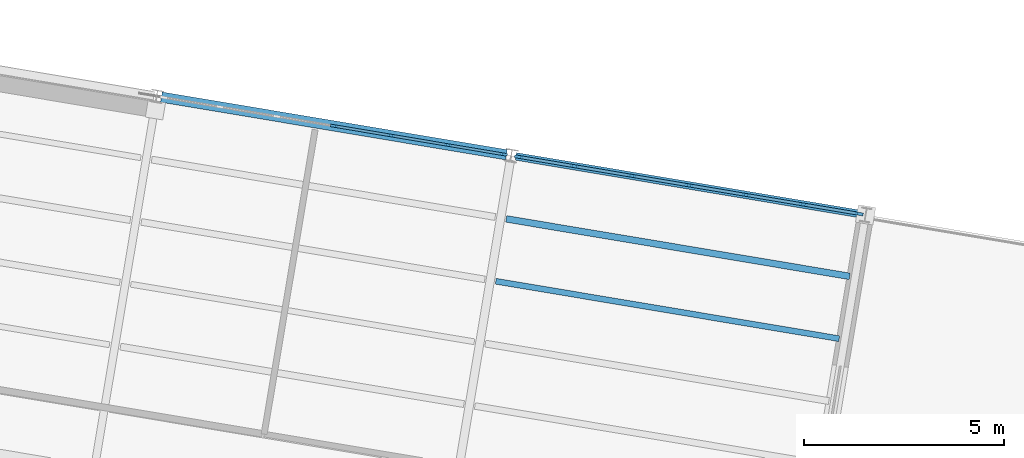
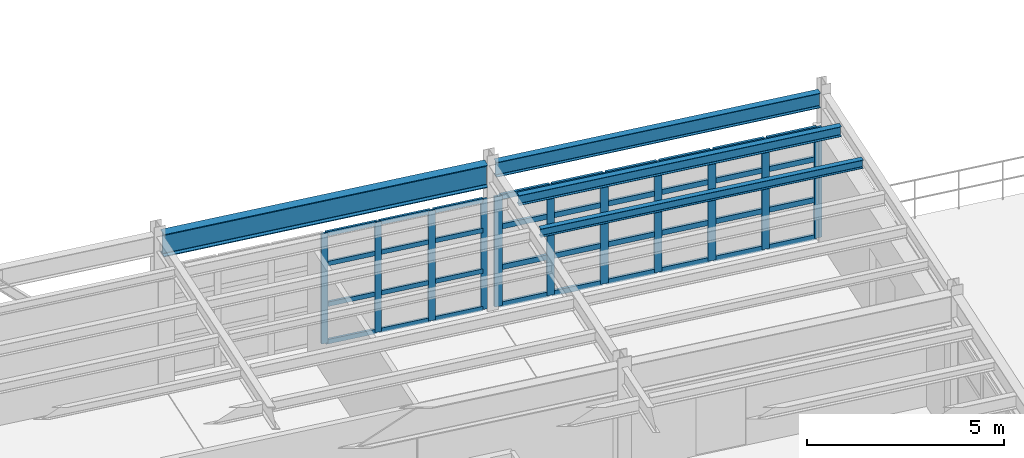
# One storey, part 26 of 59: 47 members, 4 beams, 2 elements without a shape of their own.
"""IFC4 building model written with IfcOpenShell, lengths in metres."""

from ifc_helpers import new_model, si_unit, direction, frame, origin, origin_2d, place, context, subcontext, project, spatial, rectangle, i_section, extrude, material, layer, layer_set, material_profile, profile_set, type_object, element, aggregate, save


model = new_model("IFC4")

# Units and contexts
model_context = context("Model", 3, precision=1e-05, world=origin(), true_north=direction((0.0, 1.0)))
body_context = subcontext(model_context, "Body", "Model", "MODEL_VIEW")
ifc_project = project(units=[si_unit("LENGTHUNIT", "METRE"), si_unit("AREAUNIT", "SQUARE_METRE"), si_unit("VOLUMEUNIT", "CUBIC_METRE"), si_unit("PLANEANGLEUNIT", "RADIAN"), si_unit("MASSUNIT", "GRAM", prefix="KILO")], contexts=[model_context])

# Site, building, storey
site_placement = place(None, origin())
site = spatial("IfcSite", under=ifc_project, at=site_placement, CompositionType="ELEMENT")
building_placement = place(site_placement, origin())
building = spatial("IfcBuilding", under=site, at=building_placement, Name="Vireo Bluff Cable Station", CompositionType="ELEMENT")
storey_placement = place(building_placement, frame((0.0, 0.0, 14.39990234375)))
storey = spatial("IfcBuildingStorey", under=building, at=storey_placement, Name="L03", CompositionType="ELEMENT", Elevation=14.39990234375)

# Curtain wall, members
ifc_material_1 = material(Name="Anodized Aluminium 6063-T6", Category="aluminium")
ifc_layer_1 = layer(ifc_material_1, 0.179931640625, Name="Anodized Aluminium 6063-T6")
ifc_layer_set_1 = layer_set([ifc_layer_1], Name="Anodized Aluminium 6063-T6")
curtain_wall_type_1 = type_object("IfcCurtainWallType", Name="CW-UNIT-1400", PredefinedType="USERDEFINED", material=ifc_layer_set_1)
curtain_wall_1_placement = place(storey_placement, origin())
curtain_wall_1 = element("IfcCurtainWall", 1, at=curtain_wall_1_placement, inside=storey, type_object=curtain_wall_type_1, Name="V4 L03 north curtain wall CW-108", ObjectType="UNITISED CURTAIN WALL", PredefinedType="USERDEFINED")
ifc_material_profile_1 = material_profile(ifc_material_1, rectangle(XDim=0.06494140625, YDim=0.179931640625, at=origin_2d()), Name="ALU-M-65X180")
ifc_profile_set_1 = profile_set([ifc_material_profile_1], Name="Anodized Aluminium 6063-T6")
member_type_1 = type_object("IfcMemberType", Name="CWM-01", PredefinedType="MULLION", material=ifc_profile_set_1)
member_1_placement = place(storey_placement, frame((23.518310546875, 97.381103515625, 0.0), z_axis=(0.0, 0.0, 1.0), x_axis=(0.165047525781, 0.986285614938, 0.0)))
member_1 = element("IfcMember", 2, at=member_1_placement, type_object=member_type_1, Name="CW-108 mullion 4", PredefinedType="MULLION", context=body_context, shape_type="SweptSolid", body=[
    extrude(rectangle(XDim=0.06494140625, YDim=0.179931640625, at=origin_2d()), origin(), (0.0, 0.0, 1.0), 3.400146484375),
])
member_2_placement = place(storey_placement, frame((24.94677734375, 97.14208984375, 0.0), z_axis=(0.0, 0.0, 1.0), x_axis=(0.165047525781, 0.986285614938, 0.0)))
member_2 = element("IfcMember", 3, at=member_2_placement, type_object=member_type_1, Name="CW-108 mullion 5", PredefinedType="MULLION", context=body_context, shape_type="SweptSolid", body=[
    extrude(rectangle(XDim=0.06494140625, YDim=0.179931640625, at=origin_2d()), origin(), (0.0, 0.0, 1.0), 3.400146484375),
])
member_3_placement = place(storey_placement, frame((26.375244140625, 96.903076171875, 0.0), z_axis=(0.0, 0.0, 1.0), x_axis=(0.165047525781, 0.986285614938, 0.0)))
member_3 = element("IfcMember", 4, at=member_3_placement, type_object=member_type_1, Name="CW-108 mullion 6", PredefinedType="MULLION", context=body_context, shape_type="SweptSolid", body=[
    extrude(rectangle(XDim=0.06494140625, YDim=0.179931640625, at=origin_2d()), origin(), (0.0, 0.0, 1.0), 3.400146484375),
])
member_4_placement = place(storey_placement, frame((27.771484375, 96.66943359375, 0.0), z_axis=(0.0, 0.0, 1.0), x_axis=(0.165047525781, 0.986285614938, 0.0)))
member_4 = element("IfcMember", 5, at=member_4_placement, type_object=member_type_1, Name="CW-108 mullion 7", PredefinedType="MULLION", context=body_context, shape_type="SweptSolid", body=[
    extrude(rectangle(XDim=0.06494140625, YDim=0.179931640625, at=origin_2d()), origin(), (0.0, 0.0, 1.0), 3.400146484375),
])

ifc_layer_2 = layer(ifc_material_1, 0.179931640625, Name="Anodized Aluminium 6063-T6")
ifc_layer_set_2 = layer_set([ifc_layer_2], Name="Anodized Aluminium 6063-T6")
curtain_wall_type_2 = type_object("IfcCurtainWallType", Name="CW-UNIT-1500", PredefinedType="USERDEFINED", material=ifc_layer_set_2)
curtain_wall_2_placement = place(storey_placement, origin())
curtain_wall_2 = element("IfcCurtainWall", 6, at=curtain_wall_2_placement, inside=storey, type_object=curtain_wall_type_2, Name="V4 L03 north curtain wall CW-109", ObjectType="UNITISED CURTAIN WALL", PredefinedType="USERDEFINED")
ifc_material_profile_2 = material_profile(ifc_material_1, rectangle(XDim=0.074951171875, YDim=0.2099609375, at=origin_2d()), Name="ALU-M-75X210")
ifc_profile_set_2 = profile_set([ifc_material_profile_2], Name="Anodized Aluminium 6063-T6")
member_type_2 = type_object("IfcMemberType", Name="CWM-02", PredefinedType="MULLION", material=ifc_profile_set_2)
member_5_placement = place(storey_placement, frame((28.1474609375, 96.6064453125, 0.0), z_axis=(0.0, 0.0, 1.0), x_axis=(0.165047674837, 0.986285589995, 0.0)))
member_5 = element("IfcMember", 7, at=member_5_placement, type_object=member_type_2, Name="CW-109 mullion 1", PredefinedType="MULLION", context=body_context, shape_type="SweptSolid", body=[
    extrude(rectangle(XDim=0.074951171875, YDim=0.2099609375, at=origin_2d()), origin(), (0.0, 0.0, 1.0), 3.400146484375),
])
member_6_placement = place(storey_placement, frame((29.54296875, 96.372802734375, 0.0), z_axis=(0.0, 0.0, 1.0), x_axis=(0.165047674837, 0.986285589995, 0.0)))
member_6 = element("IfcMember", 8, at=member_6_placement, type_object=member_type_2, Name="CW-109 mullion 2", PredefinedType="MULLION", context=body_context, shape_type="SweptSolid", body=[
    extrude(rectangle(XDim=0.074951171875, YDim=0.2099609375, at=origin_2d()), origin(), (0.0, 0.0, 1.0), 3.400146484375),
])
member_7_placement = place(storey_placement, frame((30.9755859375, 96.133056640625, 0.0), z_axis=(0.0, 0.0, 1.0), x_axis=(0.165047674837, 0.986285589995, 0.0)))
member_7 = element("IfcMember", 9, at=member_7_placement, type_object=member_type_2, Name="CW-109 mullion 3", PredefinedType="MULLION", context=body_context, shape_type="SweptSolid", body=[
    extrude(rectangle(XDim=0.074951171875, YDim=0.2099609375, at=origin_2d()), origin(), (0.0, 0.0, 1.0), 3.400146484375),
])
member_8_placement = place(storey_placement, frame((32.408447265625, 95.893310546875, 0.0), z_axis=(0.0, 0.0, 1.0), x_axis=(0.165047674837, 0.986285589995, 0.0)))
member_8 = element("IfcMember", 10, at=member_8_placement, type_object=member_type_2, Name="CW-109 mullion 4", PredefinedType="MULLION", context=body_context, shape_type="SweptSolid", body=[
    extrude(rectangle(XDim=0.074951171875, YDim=0.2099609375, at=origin_2d()), origin(), (0.0, 0.0, 1.0), 3.400146484375),
])
member_9_placement = place(storey_placement, frame((33.841064453125, 95.653564453125, 0.0), z_axis=(0.0, 0.0, 1.0), x_axis=(0.165047674837, 0.986285589995, 0.0)))
member_9 = element("IfcMember", 11, at=member_9_placement, type_object=member_type_2, Name="CW-109 mullion 5", PredefinedType="MULLION", context=body_context, shape_type="SweptSolid", body=[
    extrude(rectangle(XDim=0.074951171875, YDim=0.2099609375, at=origin_2d()), origin(), (0.0, 0.0, 1.0), 3.400146484375),
])
member_10_placement = place(storey_placement, frame((35.273681640625, 95.413818359375, 0.0), z_axis=(0.0, 0.0, 1.0), x_axis=(0.165047674837, 0.986285589995, 0.0)))
member_10 = element("IfcMember", 12, at=member_10_placement, type_object=member_type_2, Name="CW-109 mullion 6", PredefinedType="MULLION", context=body_context, shape_type="SweptSolid", body=[
    extrude(rectangle(XDim=0.074951171875, YDim=0.2099609375, at=origin_2d()), origin(), (0.0, 0.0, 1.0), 3.400146484375),
])
member_11_placement = place(storey_placement, frame((36.66943359375, 95.180419921875, 0.0), z_axis=(0.0, 0.0, 1.0), x_axis=(0.165047674837, 0.986285589995, 0.0)))
member_11 = element("IfcMember", 13, at=member_11_placement, type_object=member_type_2, Name="CW-109 mullion 7", PredefinedType="MULLION", context=body_context, shape_type="SweptSolid", body=[
    extrude(rectangle(XDim=0.074951171875, YDim=0.2099609375, at=origin_2d()), origin(), (0.0, 0.0, 1.0), 3.400146484375),
])

# Member
ifc_material_profile_3 = material_profile(ifc_material_1, rectangle(XDim=0.06494140625, YDim=0.139892578125, at=origin_2d()), Name="ALU-T-65X140")
ifc_profile_set_3 = profile_set([ifc_material_profile_3], Name="Anodized Aluminium 6063-T6")
member_type_3 = type_object("IfcMemberType", Name="CWT-01", PredefinedType="USERDEFINED", material=ifc_profile_set_3)
member_12_placement = place(storey_placement, frame((23.55029296875, 97.375732421875, 0.03271484375), z_axis=(0.986288776182, -0.16502863381, 0.0), x_axis=(0.16502863381, 0.986288776182, 0.0)))
member_12 = element("IfcMember", 14, at=member_12_placement, type_object=member_type_3, Name="CW-108 transom 4.1", ObjectType="TRANSOM", PredefinedType="USERDEFINED", context=body_context, shape_type="SweptSolid", body=[
    extrude(rectangle(XDim=0.06494140625, YDim=0.139892578125, at=origin_2d()), origin(), (0.0, 0.0, 1.0), 1.38330078125),
])

member_13_placement = place(storey_placement, frame((23.55029296875, 97.375732421875, 1.190185546875), z_axis=(0.986288776182, -0.16502863381, 0.0), x_axis=(0.16502863381, 0.986288776182, 0.0)))
member_13 = element("IfcMember", 15, at=member_13_placement, type_object=member_type_3, Name="CW-108 transom 4.2", ObjectType="TRANSOM", PredefinedType="USERDEFINED", context=body_context, shape_type="SweptSolid", body=[
    extrude(rectangle(XDim=0.06494140625, YDim=0.139892578125, at=origin_2d()), origin(), (0.0, 0.0, 1.0), 1.38330078125),
])

member_14_placement = place(storey_placement, frame((23.55029296875, 97.375732421875, 2.447998046875), z_axis=(0.986288776182, -0.16502863381, 0.0), x_axis=(0.16502863381, 0.986288776182, 0.0)))
member_14 = element("IfcMember", 16, at=member_14_placement, type_object=member_type_3, Name="CW-108 transom 4.3", ObjectType="TRANSOM", PredefinedType="USERDEFINED", context=body_context, shape_type="SweptSolid", body=[
    extrude(rectangle(XDim=0.06494140625, YDim=0.139892578125, at=origin_2d()), origin(), (0.0, 0.0, 1.0), 1.38330078125),
])

member_15_placement = place(storey_placement, frame((23.55029296875, 97.375732421875, 3.36767578125), z_axis=(0.986288776182, -0.16502863381, 0.0), x_axis=(0.16502863381, 0.986288776182, 0.0)))
member_15 = element("IfcMember", 17, at=member_15_placement, type_object=member_type_3, Name="CW-108 transom 4.4", ObjectType="TRANSOM", PredefinedType="USERDEFINED", context=body_context, shape_type="SweptSolid", body=[
    extrude(rectangle(XDim=0.06494140625, YDim=0.139892578125, at=origin_2d()), origin(), (0.0, 0.0, 1.0), 1.38330078125),
])

member_16_placement = place(storey_placement, frame((24.978759765625, 97.13671875, 0.03271484375), z_axis=(0.986288776182, -0.16502863381, 0.0), x_axis=(0.16502863381, 0.986288776182, 0.0)))
member_16 = element("IfcMember", 18, at=member_16_placement, type_object=member_type_3, Name="CW-108 transom 5.1", ObjectType="TRANSOM", PredefinedType="USERDEFINED", context=body_context, shape_type="SweptSolid", body=[
    extrude(rectangle(XDim=0.06494140625, YDim=0.139892578125, at=origin_2d()), origin(), (0.0, 0.0, 1.0), 1.38330078125),
])

member_17_placement = place(storey_placement, frame((24.978759765625, 97.13671875, 1.190185546875), z_axis=(0.986288776182, -0.16502863381, 0.0), x_axis=(0.16502863381, 0.986288776182, 0.0)))
member_17 = element("IfcMember", 19, at=member_17_placement, type_object=member_type_3, Name="CW-108 transom 5.2", ObjectType="TRANSOM", PredefinedType="USERDEFINED", context=body_context, shape_type="SweptSolid", body=[
    extrude(rectangle(XDim=0.06494140625, YDim=0.139892578125, at=origin_2d()), origin(), (0.0, 0.0, 1.0), 1.38330078125),
])

member_18_placement = place(storey_placement, frame((24.978759765625, 97.13671875, 2.447998046875), z_axis=(0.986288776182, -0.16502863381, 0.0), x_axis=(0.16502863381, 0.986288776182, 0.0)))
member_18 = element("IfcMember", 20, at=member_18_placement, type_object=member_type_3, Name="CW-108 transom 5.3", ObjectType="TRANSOM", PredefinedType="USERDEFINED", context=body_context, shape_type="SweptSolid", body=[
    extrude(rectangle(XDim=0.06494140625, YDim=0.139892578125, at=origin_2d()), origin(), (0.0, 0.0, 1.0), 1.38330078125),
])

member_19_placement = place(storey_placement, frame((24.978759765625, 97.13671875, 3.36767578125), z_axis=(0.986288776182, -0.16502863381, 0.0), x_axis=(0.16502863381, 0.986288776182, 0.0)))
member_19 = element("IfcMember", 21, at=member_19_placement, type_object=member_type_3, Name="CW-108 transom 5.4", ObjectType="TRANSOM", PredefinedType="USERDEFINED", context=body_context, shape_type="SweptSolid", body=[
    extrude(rectangle(XDim=0.06494140625, YDim=0.139892578125, at=origin_2d()), origin(), (0.0, 0.0, 1.0), 1.38330078125),
])

member_20_placement = place(storey_placement, frame((26.4072265625, 96.897705078125, 0.03271484375), z_axis=(0.986261719945, -0.165190253258, 0.0), x_axis=(0.165190253258, 0.986261719945, 0.0)))
member_20 = element("IfcMember", 22, at=member_20_placement, type_object=member_type_3, Name="CW-108 transom 6.1", ObjectType="TRANSOM", PredefinedType="USERDEFINED", context=body_context, shape_type="SweptSolid", body=[
    extrude(rectangle(XDim=0.06494140625, YDim=0.139892578125, at=origin_2d()), origin(), (0.0, 0.0, 1.0), 1.350830078125),
])

member_21_placement = place(storey_placement, frame((26.4072265625, 96.897705078125, 1.190185546875), z_axis=(0.986261719945, -0.165190253258, 0.0), x_axis=(0.165190253258, 0.986261719945, 0.0)))
member_21 = element("IfcMember", 23, at=member_21_placement, type_object=member_type_3, Name="CW-108 transom 6.2", ObjectType="TRANSOM", PredefinedType="USERDEFINED", context=body_context, shape_type="SweptSolid", body=[
    extrude(rectangle(XDim=0.06494140625, YDim=0.139892578125, at=origin_2d()), origin(), (0.0, 0.0, 1.0), 1.350830078125),
])

member_22_placement = place(storey_placement, frame((26.4072265625, 96.897705078125, 2.447998046875), z_axis=(0.986261719945, -0.165190253258, 0.0), x_axis=(0.165190253258, 0.986261719945, 0.0)))
member_22 = element("IfcMember", 24, at=member_22_placement, type_object=member_type_3, Name="CW-108 transom 6.3", ObjectType="TRANSOM", PredefinedType="USERDEFINED", context=body_context, shape_type="SweptSolid", body=[
    extrude(rectangle(XDim=0.06494140625, YDim=0.139892578125, at=origin_2d()), origin(), (0.0, 0.0, 1.0), 1.350830078125),
])

member_23_placement = place(storey_placement, frame((26.4072265625, 96.897705078125, 3.36767578125), z_axis=(0.986261719945, -0.165190253258, 0.0), x_axis=(0.165190253258, 0.986261719945, 0.0)))
member_23 = element("IfcMember", 25, at=member_23_placement, type_object=member_type_3, Name="CW-108 transom 6.4", ObjectType="TRANSOM", PredefinedType="USERDEFINED", context=body_context, shape_type="SweptSolid", body=[
    extrude(rectangle(XDim=0.06494140625, YDim=0.139892578125, at=origin_2d()), origin(), (0.0, 0.0, 1.0), 1.350830078125),
])

aggregate(curtain_wall_1, [member_1, member_2, member_3, member_4, member_12, member_13, member_14, member_15, member_16, member_17, member_18, member_19, member_20, member_21, member_22, member_23])

ifc_material_profile_4 = material_profile(ifc_material_1, rectangle(XDim=0.074951171875, YDim=0.159912109375, at=origin_2d()), Name="ALU-T-75X160")
ifc_profile_set_4 = profile_set([ifc_material_profile_4], Name="Anodized Aluminium 6063-T6")
member_type_4 = type_object("IfcMemberType", Name="CWT-02", PredefinedType="USERDEFINED", material=ifc_profile_set_4)
member_24_placement = place(storey_placement, frame((28.184326171875, 96.600341796875, 0.03759765625), z_axis=(0.986285390559, -0.165048866614, 0.0), x_axis=(0.165048866614, 0.986285390559, 0.0)))
member_24 = element("IfcMember", 26, at=member_24_placement, type_object=member_type_4, Name="CW-109 transom 1.1", ObjectType="TRANSOM", PredefinedType="USERDEFINED", context=body_context, shape_type="SweptSolid", body=[
    extrude(rectangle(XDim=0.074951171875, YDim=0.159912109375, at=origin_2d()), origin(), (0.0, 0.0, 1.0), 1.340087890625),
])

member_25_placement = place(storey_placement, frame((28.184326171875, 96.600341796875, 1.190185546875), z_axis=(0.986285390559, -0.165048866614, 0.0), x_axis=(0.165048866614, 0.986285390559, 0.0)))
member_25 = element("IfcMember", 27, at=member_25_placement, type_object=member_type_4, Name="CW-109 transom 1.2", ObjectType="TRANSOM", PredefinedType="USERDEFINED", context=body_context, shape_type="SweptSolid", body=[
    extrude(rectangle(XDim=0.074951171875, YDim=0.159912109375, at=origin_2d()), origin(), (0.0, 0.0, 1.0), 1.340087890625),
])

member_26_placement = place(storey_placement, frame((28.184326171875, 96.600341796875, 2.447998046875), z_axis=(0.986285390559, -0.165048866614, 0.0), x_axis=(0.165048866614, 0.986285390559, 0.0)))
member_26 = element("IfcMember", 28, at=member_26_placement, type_object=member_type_4, Name="CW-109 transom 1.3", ObjectType="TRANSOM", PredefinedType="USERDEFINED", context=body_context, shape_type="SweptSolid", body=[
    extrude(rectangle(XDim=0.074951171875, YDim=0.159912109375, at=origin_2d()), origin(), (0.0, 0.0, 1.0), 1.340087890625),
])

member_27_placement = place(storey_placement, frame((28.184326171875, 96.600341796875, 3.362548828125), z_axis=(0.986285390559, -0.165048866614, 0.0), x_axis=(0.165048866614, 0.986285390559, 0.0)))
member_27 = element("IfcMember", 29, at=member_27_placement, type_object=member_type_4, Name="CW-109 transom 1.4", ObjectType="TRANSOM", PredefinedType="USERDEFINED", context=body_context, shape_type="SweptSolid", body=[
    extrude(rectangle(XDim=0.074951171875, YDim=0.159912109375, at=origin_2d()), origin(), (0.0, 0.0, 1.0), 1.340087890625),
])

member_28_placement = place(storey_placement, frame((29.580078125, 96.36669921875, 0.03759765625), z_axis=(0.98629314835, -0.165002501548, 0.0), x_axis=(0.165002501548, 0.98629314835, 0.0)))
member_28 = element("IfcMember", 30, at=member_28_placement, type_object=member_type_4, Name="CW-109 transom 2.1", ObjectType="TRANSOM", PredefinedType="USERDEFINED", context=body_context, shape_type="SweptSolid", body=[
    extrude(rectangle(XDim=0.074951171875, YDim=0.159912109375, at=origin_2d()), origin(), (0.0, 0.0, 1.0), 1.37744140625),
])

member_29_placement = place(storey_placement, frame((29.580078125, 96.36669921875, 1.190185546875), z_axis=(0.98629314835, -0.165002501548, 0.0), x_axis=(0.165002501548, 0.98629314835, 0.0)))
member_29 = element("IfcMember", 31, at=member_29_placement, type_object=member_type_4, Name="CW-109 transom 2.2", ObjectType="TRANSOM", PredefinedType="USERDEFINED", context=body_context, shape_type="SweptSolid", body=[
    extrude(rectangle(XDim=0.074951171875, YDim=0.159912109375, at=origin_2d()), origin(), (0.0, 0.0, 1.0), 1.37744140625),
])

member_30_placement = place(storey_placement, frame((29.580078125, 96.36669921875, 2.447998046875), z_axis=(0.98629314835, -0.165002501548, 0.0), x_axis=(0.165002501548, 0.98629314835, 0.0)))
member_30 = element("IfcMember", 32, at=member_30_placement, type_object=member_type_4, Name="CW-109 transom 2.3", ObjectType="TRANSOM", PredefinedType="USERDEFINED", context=body_context, shape_type="SweptSolid", body=[
    extrude(rectangle(XDim=0.074951171875, YDim=0.159912109375, at=origin_2d()), origin(), (0.0, 0.0, 1.0), 1.37744140625),
])

member_31_placement = place(storey_placement, frame((29.580078125, 96.36669921875, 3.362548828125), z_axis=(0.98629314835, -0.165002501548, 0.0), x_axis=(0.165002501548, 0.98629314835, 0.0)))
member_31 = element("IfcMember", 33, at=member_31_placement, type_object=member_type_4, Name="CW-109 transom 2.4", ObjectType="TRANSOM", PredefinedType="USERDEFINED", context=body_context, shape_type="SweptSolid", body=[
    extrude(rectangle(XDim=0.074951171875, YDim=0.159912109375, at=origin_2d()), origin(), (0.0, 0.0, 1.0), 1.37744140625),
])

member_32_placement = place(storey_placement, frame((31.0126953125, 96.126953125, 0.03759765625), z_axis=(0.98629314835, -0.165002501548, 0.0), x_axis=(0.165002501548, 0.98629314835, 0.0)))
member_32 = element("IfcMember", 34, at=member_32_placement, type_object=member_type_4, Name="CW-109 transom 3.1", ObjectType="TRANSOM", PredefinedType="USERDEFINED", context=body_context, shape_type="SweptSolid", body=[
    extrude(rectangle(XDim=0.074951171875, YDim=0.159912109375, at=origin_2d()), origin(), (0.0, 0.0, 1.0), 1.37744140625),
])

member_33_placement = place(storey_placement, frame((31.0126953125, 96.126953125, 1.190185546875), z_axis=(0.98629314835, -0.165002501548, 0.0), x_axis=(0.165002501548, 0.98629314835, 0.0)))
member_33 = element("IfcMember", 35, at=member_33_placement, type_object=member_type_4, Name="CW-109 transom 3.2", ObjectType="TRANSOM", PredefinedType="USERDEFINED", context=body_context, shape_type="SweptSolid", body=[
    extrude(rectangle(XDim=0.074951171875, YDim=0.159912109375, at=origin_2d()), origin(), (0.0, 0.0, 1.0), 1.37744140625),
])

member_34_placement = place(storey_placement, frame((31.0126953125, 96.126953125, 2.447998046875), z_axis=(0.98629314835, -0.165002501548, 0.0), x_axis=(0.165002501548, 0.98629314835, 0.0)))
member_34 = element("IfcMember", 36, at=member_34_placement, type_object=member_type_4, Name="CW-109 transom 3.3", ObjectType="TRANSOM", PredefinedType="USERDEFINED", context=body_context, shape_type="SweptSolid", body=[
    extrude(rectangle(XDim=0.074951171875, YDim=0.159912109375, at=origin_2d()), origin(), (0.0, 0.0, 1.0), 1.37744140625),
])

member_35_placement = place(storey_placement, frame((31.0126953125, 96.126953125, 3.362548828125), z_axis=(0.98629314835, -0.165002501548, 0.0), x_axis=(0.165002501548, 0.98629314835, 0.0)))
member_35 = element("IfcMember", 37, at=member_35_placement, type_object=member_type_4, Name="CW-109 transom 3.4", ObjectType="TRANSOM", PredefinedType="USERDEFINED", context=body_context, shape_type="SweptSolid", body=[
    extrude(rectangle(XDim=0.074951171875, YDim=0.159912109375, at=origin_2d()), origin(), (0.0, 0.0, 1.0), 1.37744140625),
])

member_36_placement = place(storey_placement, frame((32.4453125, 95.88720703125, 0.03759765625), z_axis=(0.98629314835, -0.165002501548, 0.0), x_axis=(0.165002501548, 0.98629314835, 0.0)))
member_36 = element("IfcMember", 38, at=member_36_placement, type_object=member_type_4, Name="CW-109 transom 4.1", ObjectType="TRANSOM", PredefinedType="USERDEFINED", context=body_context, shape_type="SweptSolid", body=[
    extrude(rectangle(XDim=0.074951171875, YDim=0.159912109375, at=origin_2d()), origin(), (0.0, 0.0, 1.0), 1.37744140625),
])

member_37_placement = place(storey_placement, frame((32.4453125, 95.88720703125, 1.190185546875), z_axis=(0.98629314835, -0.165002501548, 0.0), x_axis=(0.165002501548, 0.98629314835, 0.0)))
member_37 = element("IfcMember", 39, at=member_37_placement, type_object=member_type_4, Name="CW-109 transom 4.2", ObjectType="TRANSOM", PredefinedType="USERDEFINED", context=body_context, shape_type="SweptSolid", body=[
    extrude(rectangle(XDim=0.074951171875, YDim=0.159912109375, at=origin_2d()), origin(), (0.0, 0.0, 1.0), 1.37744140625),
])

member_38_placement = place(storey_placement, frame((32.4453125, 95.88720703125, 2.447998046875), z_axis=(0.98629314835, -0.165002501548, 0.0), x_axis=(0.165002501548, 0.98629314835, 0.0)))
member_38 = element("IfcMember", 40, at=member_38_placement, type_object=member_type_4, Name="CW-109 transom 4.3", ObjectType="TRANSOM", PredefinedType="USERDEFINED", context=body_context, shape_type="SweptSolid", body=[
    extrude(rectangle(XDim=0.074951171875, YDim=0.159912109375, at=origin_2d()), origin(), (0.0, 0.0, 1.0), 1.37744140625),
])

member_39_placement = place(storey_placement, frame((32.4453125, 95.88720703125, 3.362548828125), z_axis=(0.98629314835, -0.165002501548, 0.0), x_axis=(0.165002501548, 0.98629314835, 0.0)))
member_39 = element("IfcMember", 41, at=member_39_placement, type_object=member_type_4, Name="CW-109 transom 4.4", ObjectType="TRANSOM", PredefinedType="USERDEFINED", context=body_context, shape_type="SweptSolid", body=[
    extrude(rectangle(XDim=0.074951171875, YDim=0.159912109375, at=origin_2d()), origin(), (0.0, 0.0, 1.0), 1.37744140625),
])

member_40_placement = place(storey_placement, frame((33.8779296875, 95.6474609375, 0.03759765625), z_axis=(0.98629314835, -0.165002501548, 0.0), x_axis=(0.165002501548, 0.98629314835, 0.0)))
member_40 = element("IfcMember", 42, at=member_40_placement, type_object=member_type_4, Name="CW-109 transom 5.1", ObjectType="TRANSOM", PredefinedType="USERDEFINED", context=body_context, shape_type="SweptSolid", body=[
    extrude(rectangle(XDim=0.074951171875, YDim=0.159912109375, at=origin_2d()), origin(), (0.0, 0.0, 1.0), 1.37744140625),
])

member_41_placement = place(storey_placement, frame((33.8779296875, 95.6474609375, 1.190185546875), z_axis=(0.98629314835, -0.165002501548, 0.0), x_axis=(0.165002501548, 0.98629314835, 0.0)))
member_41 = element("IfcMember", 43, at=member_41_placement, type_object=member_type_4, Name="CW-109 transom 5.2", ObjectType="TRANSOM", PredefinedType="USERDEFINED", context=body_context, shape_type="SweptSolid", body=[
    extrude(rectangle(XDim=0.074951171875, YDim=0.159912109375, at=origin_2d()), origin(), (0.0, 0.0, 1.0), 1.37744140625),
])

member_42_placement = place(storey_placement, frame((33.8779296875, 95.6474609375, 2.447998046875), z_axis=(0.98629314835, -0.165002501548, 0.0), x_axis=(0.165002501548, 0.98629314835, 0.0)))
member_42 = element("IfcMember", 44, at=member_42_placement, type_object=member_type_4, Name="CW-109 transom 5.3", ObjectType="TRANSOM", PredefinedType="USERDEFINED", context=body_context, shape_type="SweptSolid", body=[
    extrude(rectangle(XDim=0.074951171875, YDim=0.159912109375, at=origin_2d()), origin(), (0.0, 0.0, 1.0), 1.37744140625),
])

member_43_placement = place(storey_placement, frame((33.8779296875, 95.6474609375, 3.362548828125), z_axis=(0.98629314835, -0.165002501548, 0.0), x_axis=(0.165002501548, 0.98629314835, 0.0)))
member_43 = element("IfcMember", 45, at=member_43_placement, type_object=member_type_4, Name="CW-109 transom 5.4", ObjectType="TRANSOM", PredefinedType="USERDEFINED", context=body_context, shape_type="SweptSolid", body=[
    extrude(rectangle(XDim=0.074951171875, YDim=0.159912109375, at=origin_2d()), origin(), (0.0, 0.0, 1.0), 1.37744140625),
])

member_44_placement = place(storey_placement, frame((35.310546875, 95.40771484375, 0.03759765625), z_axis=(0.986285390559, -0.165048866614, 0.0), x_axis=(0.165048866614, 0.986285390559, 0.0)))
member_44 = element("IfcMember", 46, at=member_44_placement, type_object=member_type_4, Name="CW-109 transom 6.1", ObjectType="TRANSOM", PredefinedType="USERDEFINED", context=body_context, shape_type="SweptSolid", body=[
    extrude(rectangle(XDim=0.074951171875, YDim=0.159912109375, at=origin_2d()), origin(), (0.0, 0.0, 1.0), 1.340087890625),
])

member_45_placement = place(storey_placement, frame((35.310546875, 95.40771484375, 1.190185546875), z_axis=(0.986285390559, -0.165048866614, 0.0), x_axis=(0.165048866614, 0.986285390559, 0.0)))
member_45 = element("IfcMember", 47, at=member_45_placement, type_object=member_type_4, Name="CW-109 transom 6.2", ObjectType="TRANSOM", PredefinedType="USERDEFINED", context=body_context, shape_type="SweptSolid", body=[
    extrude(rectangle(XDim=0.074951171875, YDim=0.159912109375, at=origin_2d()), origin(), (0.0, 0.0, 1.0), 1.340087890625),
])

member_46_placement = place(storey_placement, frame((35.310546875, 95.40771484375, 2.447998046875), z_axis=(0.986285390559, -0.165048866614, 0.0), x_axis=(0.165048866614, 0.986285390559, 0.0)))
member_46 = element("IfcMember", 48, at=member_46_placement, type_object=member_type_4, Name="CW-109 transom 6.3", ObjectType="TRANSOM", PredefinedType="USERDEFINED", context=body_context, shape_type="SweptSolid", body=[
    extrude(rectangle(XDim=0.074951171875, YDim=0.159912109375, at=origin_2d()), origin(), (0.0, 0.0, 1.0), 1.340087890625),
])

member_47_placement = place(storey_placement, frame((35.310546875, 95.40771484375, 3.362548828125), z_axis=(0.986285390559, -0.165048866614, 0.0), x_axis=(0.165048866614, 0.986285390559, 0.0)))
member_47 = element("IfcMember", 49, at=member_47_placement, type_object=member_type_4, Name="CW-109 transom 6.4", ObjectType="TRANSOM", PredefinedType="USERDEFINED", context=body_context, shape_type="SweptSolid", body=[
    extrude(rectangle(XDim=0.074951171875, YDim=0.159912109375, at=origin_2d()), origin(), (0.0, 0.0, 1.0), 1.340087890625),
])

aggregate(curtain_wall_2, [member_5, member_6, member_7, member_8, member_9, member_10, member_11, member_24, member_25, member_26, member_27, member_28, member_29, member_30, member_31, member_32, member_33, member_34, member_35, member_36, member_37, member_38, member_39, member_40, member_41, member_42, member_43, member_44, member_45, member_46, member_47])

# Beams
ifc_material_2 = material(Name="Steel ASTM A992 Gr. 50", Category="steel")
ifc_material_profile_5 = material_profile(ifc_material_2, i_section(OverallWidth=0.14599609375, OverallDepth=0.259033203125, WebThickness=0.006103515625, FlangeThickness=0.009033203125, FilletRadius=0.009033203125, at=origin_2d()), Name="W10X22")
ifc_profile_set_5 = profile_set([ifc_material_profile_5], Name="Steel ASTM A992 Gr. 50")
beam_type_1 = type_object("IfcBeamType", Name="JST-W10X22", PredefinedType="JOIST", material=ifc_profile_set_5)
beam_1_placement = place(storey_placement, frame((27.572509765625, 93.491943359375, 4.37060546875), z_axis=(0.98628550168, -0.165048202583, 0.0), x_axis=(0.165048202583, 0.98628550168, 0.0)))
element("IfcBeam", 50, at=beam_1_placement, inside=storey, type_object=beam_type_1, Name="V4 L03 composite joist 1088", PredefinedType="JOIST", context=body_context, shape_type="SweptSolid", body=[
    extrude(i_section(OverallWidth=0.14599609375, OverallDepth=0.259033203125, WebThickness=0.006103515625, FlangeThickness=0.009033203125, FilletRadius=0.009033203125, at=origin_2d()), origin(), (0.0, 0.0, 1.0), 8.719970703125),
])
ifc_material_profile_6 = material_profile(ifc_material_2, i_section(OverallWidth=0.1650390625, OverallDepth=0.31005859375, WebThickness=0.005859375, FlangeThickness=0.009765625, FilletRadius=0.010009765625, at=origin_2d()), Name="W12X26")
ifc_profile_set_6 = profile_set([ifc_material_profile_6], Name="Steel ASTM A992 Gr. 50")
beam_type_2 = type_object("IfcBeamType", Name="JST-W12X26", PredefinedType="JOIST", material=ifc_profile_set_6)
beam_2_placement = place(storey_placement, frame((27.833740234375, 95.053466796875, 4.34521484375), z_axis=(0.98628550168, -0.165048202583, 0.0), x_axis=(0.165048202583, 0.98628550168, 0.0)))
element("IfcBeam", 51, at=beam_2_placement, inside=storey, type_object=beam_type_2, Name="V4 L03 composite joist 1089", PredefinedType="JOIST", context=body_context, shape_type="SweptSolid", body=[
    extrude(i_section(OverallWidth=0.1650390625, OverallDepth=0.31005859375, WebThickness=0.005859375, FlangeThickness=0.009765625, FilletRadius=0.010009765625, at=origin_2d()), origin(), (0.0, 0.0, 1.0), 8.719970703125),
])
ifc_material_profile_7 = material_profile(ifc_material_2, i_section(OverallWidth=0.19091796875, OverallDepth=0.45703125, WebThickness=0.009033203125, FlangeThickness=0.014404296875, FilletRadius=0.011962890625, at=origin_2d()), Name="W18X50")
ifc_profile_set_7 = profile_set([ifc_material_profile_7], Name="Steel ASTM A992 Gr. 50")
beam_type_3 = type_object("IfcBeamType", Name="SPN-W18X50", PredefinedType="SPANDREL", material=ifc_profile_set_7)
beam_3_placement = place(storey_placement, frame((28.075439453125, 96.618408203125, 4.271484375), z_axis=(0.986285998922, -0.165045231163, 0.0), x_axis=(0.165045231163, 0.986285998922, 0.0)))
element("IfcBeam", 52, at=beam_3_placement, inside=storey, type_object=beam_type_3, Name="V4 L03 spandrel 1056", PredefinedType="SPANDREL", context=body_context, shape_type="SweptSolid", body=[
    extrude(i_section(OverallWidth=0.19091796875, OverallDepth=0.45703125, WebThickness=0.009033203125, FlangeThickness=0.014404296875, FilletRadius=0.011962890625, at=origin_2d()), origin(), (0.0, 0.0, 1.0), 8.760009765625),
])
ifc_material_profile_8 = material_profile(ifc_material_2, i_section(OverallWidth=0.257080078125, OverallDepth=0.693115234375, WebThickness=0.014404296875, FlangeThickness=0.023681640625, FilletRadius=0.014892578125, at=origin_2d()), Name="W27X114")
ifc_profile_set_8 = profile_set([ifc_material_profile_8], Name="Steel ASTM A992 Gr. 50")
beam_type_4 = type_object("IfcBeamType", Name="SPN-W27X114", PredefinedType="SPANDREL", material=ifc_profile_set_8)
beam_4_placement = place(storey_placement, frame((19.19873046875, 98.10400390625, 4.153564453125), z_axis=(0.986285998922, -0.165045231163, 0.0), x_axis=(0.165045231163, 0.986285998922, 0.0)))
element("IfcBeam", 53, at=beam_4_placement, inside=storey, type_object=beam_type_4, Name="V4 L03 spandrel 1055", PredefinedType="SPANDREL", context=body_context, shape_type="SweptSolid", body=[
    extrude(i_section(OverallWidth=0.257080078125, OverallDepth=0.693115234375, WebThickness=0.014404296875, FlangeThickness=0.023681640625, FilletRadius=0.014892578125, at=origin_2d()), origin(), (0.0, 0.0, 1.0), 8.760009765625),
])

save(model, "model.ifc")
